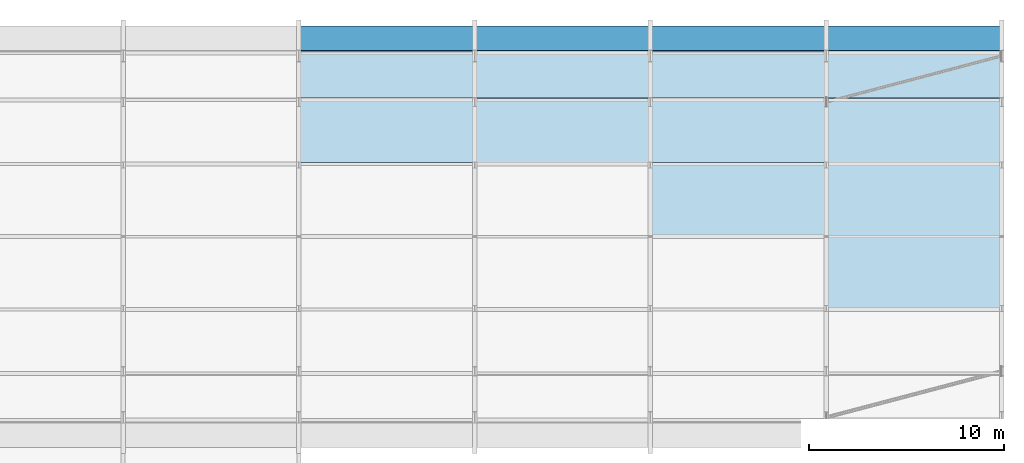
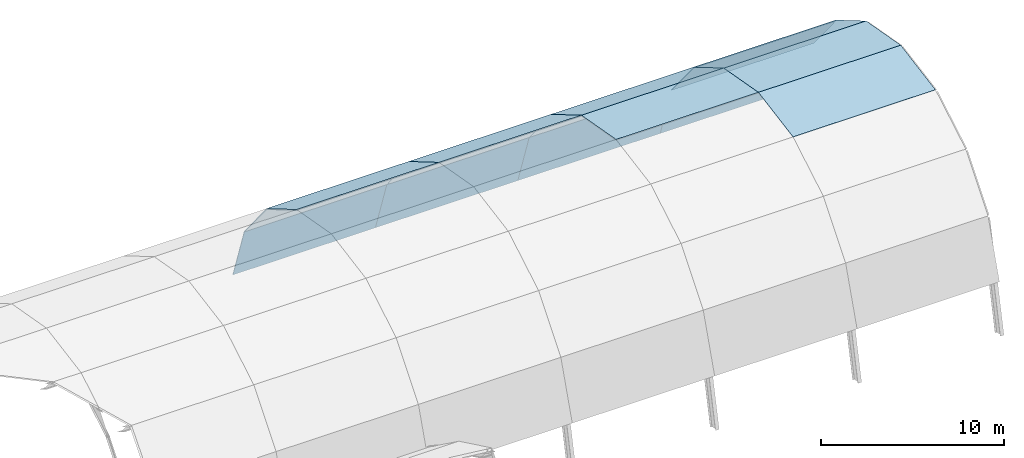
# One storey, part 14 of 15: 15 roofs.
"""IFC4 building model written with IfcOpenShell, lengths in metres."""

from ifc_helpers import new_model, si_unit, direction, frame, origin, place, context, subcontext, project, spatial, polyline, outline, extrude, material, layer, layer_set, type_object, element, save


model = new_model("IFC4")

# Units and contexts
model_context = context("Model", 3, precision=1e-05, world=origin(), true_north=direction((0.0, 1.0)))
body_context = subcontext(model_context, "Body", "Model", "MODEL_VIEW")
ifc_project = project(units=[si_unit("LENGTHUNIT", "METRE"), si_unit("AREAUNIT", "SQUARE_METRE"), si_unit("VOLUMEUNIT", "CUBIC_METRE"), si_unit("PLANEANGLEUNIT", "RADIAN"), si_unit("MASSUNIT", "GRAM", prefix="KILO")], contexts=[model_context])

# Site, building, storey
site_placement = place(None, origin())
site = spatial("IfcSite", under=ifc_project, at=site_placement, CompositionType="ELEMENT")
building_placement = place(site_placement, origin())
building = spatial("IfcBuilding", under=site, at=building_placement, Name="Cendralis Terraced Arcade", CompositionType="ELEMENT")
storey_placement = place(building_placement, frame((0.0, 0.0, 34.199951171875)))
storey = spatial("IfcBuildingStorey", under=building, at=storey_placement, Name="RF", CompositionType="ELEMENT", Elevation=34.199951171875)

# Roofs
ifc_material = material(Name="Tempered solar control laminated glass", Category="glass")
ifc_layer = layer(ifc_material, 0.048095703125, Name="ROOF-BARREL-GLZ")
ifc_layer_set = layer_set([ifc_layer], Name="Tempered solar control laminated glass")
roof_type = type_object("IfcRoofType", Name="ROOF-BARREL-GLZ", PredefinedType="BARREL_ROOF", material=ifc_layer_set)
roof_1_placement = place(storey_placement, frame((130.199951171875, 52.99169921875, -7.230712890625), z_axis=(0.0, 0.506804057178, 0.862061278349), x_axis=(1.0, 0.0, 0.0)))
element("IfcRoof", 1, at=roof_1_placement, inside=storey, type_object=roof_type, Name="Shopping Arcade Barrel Vault Roof Shell B08-F6", PredefinedType="BARREL_ROOF", context=body_context, shape_type="SweptSolid", body=[
    extrude(outline(polyline([(0.0, 0.0), (9.0, 0.0), (9.0, 3.851880050784614), (0.0, 3.851880050784614), (0.0, 0.0)])), origin(), (0.0, 0.0, -1.0), 0.048095703125),
])
roof_2_placement = place(storey_placement, frame((130.199951171875, 56.312255859375, -9.182861328125), z_axis=(0.0, 0.774408938731, 0.632685384385), x_axis=(1.0, 0.0, 0.0)))
element("IfcRoof", 2, at=roof_2_placement, inside=storey, type_object=roof_type, Name="Shopping Arcade Barrel Vault Roof Shell B08-F7", PredefinedType="BARREL_ROOF", context=body_context, shape_type="SweptSolid", body=[
    extrude(outline(polyline([(0.0, 0.0), (9.0, 0.0), (9.0, 3.851853984457903), (0.0, 3.851853984457903), (0.0, 0.0)])), origin(), (0.0, 0.0, -1.0), 0.048095703125),
])
roof_3_placement = place(storey_placement, frame((130.199951171875, 58.749267578125, -12.165771484375), z_axis=(0.0, 0.945818650348, 0.324695365927), x_axis=(1.0, 0.0, 0.0)))
element("IfcRoof", 3, at=roof_3_placement, inside=storey, type_object=roof_type, Name="Shopping Arcade Barrel Vault Roof Shell B08-F8", PredefinedType="BARREL_ROOF", context=body_context, shape_type="SweptSolid", body=[
    extrude(outline(polyline([(0.0, 0.0), (9.0, 0.0), (9.0, 3.852018085640294), (0.0, 3.852018085640294), (0.0, 0.0)])), origin(), (0.0, 0.0, -1.0), 0.048095703125),
])
roof_4_placement = place(storey_placement, frame((139.199951171875, 52.99169921875, -7.230712890625), z_axis=(0.0, 0.506804057178, 0.862061278349), x_axis=(1.0, 0.0, 0.0)))
element("IfcRoof", 4, at=roof_4_placement, inside=storey, type_object=roof_type, Name="Shopping Arcade Barrel Vault Roof Shell B09-F6", PredefinedType="BARREL_ROOF", context=body_context, shape_type="SweptSolid", body=[
    extrude(outline(polyline([(0.0, 0.0), (9.0, 0.0), (9.0, 3.851880050784614), (0.0, 3.851880050784614), (0.0, 0.0)])), origin(), (0.0, 0.0, -1.0), 0.048095703125),
])
roof_5_placement = place(storey_placement, frame((139.199951171875, 56.312255859375, -9.182861328125), z_axis=(0.0, 0.774408938731, 0.632685384385), x_axis=(1.0, 0.0, 0.0)))
element("IfcRoof", 5, at=roof_5_placement, inside=storey, type_object=roof_type, Name="Shopping Arcade Barrel Vault Roof Shell B09-F7", PredefinedType="BARREL_ROOF", context=body_context, shape_type="SweptSolid", body=[
    extrude(outline(polyline([(0.0, 0.0), (9.0, 0.0), (9.0, 3.851853984457903), (0.0, 3.851853984457903), (0.0, 0.0)])), origin(), (0.0, 0.0, -1.0), 0.048095703125),
])
roof_6_placement = place(storey_placement, frame((139.199951171875, 58.749267578125, -12.165771484375), z_axis=(0.0, 0.945818650348, 0.324695365927), x_axis=(1.0, 0.0, 0.0)))
element("IfcRoof", 6, at=roof_6_placement, inside=storey, type_object=roof_type, Name="Shopping Arcade Barrel Vault Roof Shell B09-F8", PredefinedType="BARREL_ROOF", context=body_context, shape_type="SweptSolid", body=[
    extrude(outline(polyline([(0.0, 0.0), (9.0, 0.0), (9.0, 3.852018085640294), (0.0, 3.852018085640294), (0.0, 0.0)])), origin(), (0.0, 0.0, -1.0), 0.048095703125),
])
roof_7_placement = place(storey_placement, frame((148.199951171875, 49.199951171875, -6.552001953125), z_axis=(0.0, 0.176196443672, 0.984355023981), x_axis=(1.0, 0.0, 0.0)))
element("IfcRoof", 7, at=roof_7_placement, inside=storey, type_object=roof_type, Name="Shopping Arcade Barrel Vault Roof Shell B10-F5", PredefinedType="BARREL_ROOF", context=body_context, shape_type="SweptSolid", body=[
    extrude(outline(polyline([(0.0, 0.0), (9.0, 0.0), (9.0, 3.8520126930816962), (0.0, 3.8520126930816962), (0.0, 0.0)])), origin(), (0.0, 0.0, -1.0), 0.048095703125),
])
roof_8_placement = place(storey_placement, frame((148.199951171875, 52.99169921875, -7.230712890625), z_axis=(0.0, 0.506804057178, 0.862061278349), x_axis=(1.0, 0.0, 0.0)))
element("IfcRoof", 8, at=roof_8_placement, inside=storey, type_object=roof_type, Name="Shopping Arcade Barrel Vault Roof Shell B10-F6", PredefinedType="BARREL_ROOF", context=body_context, shape_type="SweptSolid", body=[
    extrude(outline(polyline([(0.0, 0.0), (9.0, 0.0), (9.0, 3.851880050784614), (0.0, 3.851880050784614), (0.0, 0.0)])), origin(), (0.0, 0.0, -1.0), 0.048095703125),
])
roof_9_placement = place(storey_placement, frame((148.199951171875, 56.312255859375, -9.182861328125), z_axis=(0.0, 0.774408938731, 0.632685384385), x_axis=(1.0, 0.0, 0.0)))
element("IfcRoof", 9, at=roof_9_placement, inside=storey, type_object=roof_type, Name="Shopping Arcade Barrel Vault Roof Shell B10-F7", PredefinedType="BARREL_ROOF", context=body_context, shape_type="SweptSolid", body=[
    extrude(outline(polyline([(0.0, 0.0), (9.0, 0.0), (9.0, 3.851853984457903), (0.0, 3.851853984457903), (0.0, 0.0)])), origin(), (0.0, 0.0, -1.0), 0.048095703125),
])
roof_10_placement = place(storey_placement, frame((148.199951171875, 58.749267578125, -12.165771484375), z_axis=(0.0, 0.945818650348, 0.324695365927), x_axis=(1.0, 0.0, 0.0)))
element("IfcRoof", 10, at=roof_10_placement, inside=storey, type_object=roof_type, Name="Shopping Arcade Barrel Vault Roof Shell B10-F8", PredefinedType="BARREL_ROOF", context=body_context, shape_type="SweptSolid", body=[
    extrude(outline(polyline([(0.0, 0.0), (9.0, 0.0), (9.0, 3.852018085640294), (0.0, 3.852018085640294), (0.0, 0.0)])), origin(), (0.0, 0.0, -1.0), 0.048095703125),
])
roof_11_placement = place(storey_placement, frame((157.199951171875, 45.408447265625, -7.230712890625), z_axis=(0.0, -0.176207436967, 0.984353056153), x_axis=(1.0, 0.0, 0.0)))
element("IfcRoof", 11, at=roof_11_placement, inside=storey, type_object=roof_type, Name="Shopping Arcade Barrel Vault Roof Shell B11-F4", PredefinedType="BARREL_ROOF", context=body_context, shape_type="SweptSolid", body=[
    extrude(outline(polyline([(0.0, 0.0), (9.0, 0.0), (9.0, 3.8517723722711263), (0.0, 3.8517723722711263), (0.0, 0.0)])), origin(), (0.0, 0.0, -1.0), 0.048095703125),
])
roof_12_placement = place(storey_placement, frame((157.199951171875, 49.199951171875, -6.552001953125), z_axis=(0.0, 0.176196443672, 0.984355023981), x_axis=(1.0, 0.0, 0.0)))
element("IfcRoof", 12, at=roof_12_placement, inside=storey, type_object=roof_type, Name="Shopping Arcade Barrel Vault Roof Shell B11-F5", PredefinedType="BARREL_ROOF", context=body_context, shape_type="SweptSolid", body=[
    extrude(outline(polyline([(0.0, 0.0), (9.0, 0.0), (9.0, 3.8520126930816962), (0.0, 3.8520126930816962), (0.0, 0.0)])), origin(), (0.0, 0.0, -1.0), 0.048095703125),
])
roof_13_placement = place(storey_placement, frame((157.199951171875, 52.99169921875, -7.230712890625), z_axis=(0.0, 0.506804057178, 0.862061278349), x_axis=(1.0, 0.0, 0.0)))
element("IfcRoof", 13, at=roof_13_placement, inside=storey, type_object=roof_type, Name="Shopping Arcade Barrel Vault Roof Shell B11-F6", PredefinedType="BARREL_ROOF", context=body_context, shape_type="SweptSolid", body=[
    extrude(outline(polyline([(0.0, 0.0), (9.0, 0.0), (9.0, 3.851880050784614), (0.0, 3.851880050784614), (0.0, 0.0)])), origin(), (0.0, 0.0, -1.0), 0.048095703125),
])
roof_14_placement = place(storey_placement, frame((157.199951171875, 56.312255859375, -9.182861328125), z_axis=(0.0, 0.774408938731, 0.632685384385), x_axis=(1.0, 0.0, 0.0)))
element("IfcRoof", 14, at=roof_14_placement, inside=storey, type_object=roof_type, Name="Shopping Arcade Barrel Vault Roof Shell B11-F7", PredefinedType="BARREL_ROOF", context=body_context, shape_type="SweptSolid", body=[
    extrude(outline(polyline([(0.0, 0.0), (9.0, 0.0), (9.0, 3.851853984457903), (0.0, 3.851853984457903), (0.0, 0.0)])), origin(), (0.0, 0.0, -1.0), 0.048095703125),
])
roof_15_placement = place(storey_placement, frame((157.199951171875, 58.749267578125, -12.165771484375), z_axis=(0.0, 0.945818650348, 0.324695365927), x_axis=(1.0, 0.0, 0.0)))
element("IfcRoof", 15, at=roof_15_placement, inside=storey, type_object=roof_type, Name="Shopping Arcade Barrel Vault Roof Shell B11-F8", PredefinedType="BARREL_ROOF", context=body_context, shape_type="SweptSolid", body=[
    extrude(outline(polyline([(0.0, 0.0), (9.0, 0.0), (9.0, 3.852018085640294), (0.0, 3.852018085640294), (0.0, 0.0)])), origin(), (0.0, 0.0, -1.0), 0.048095703125),
])

save(model, "model.ifc")
